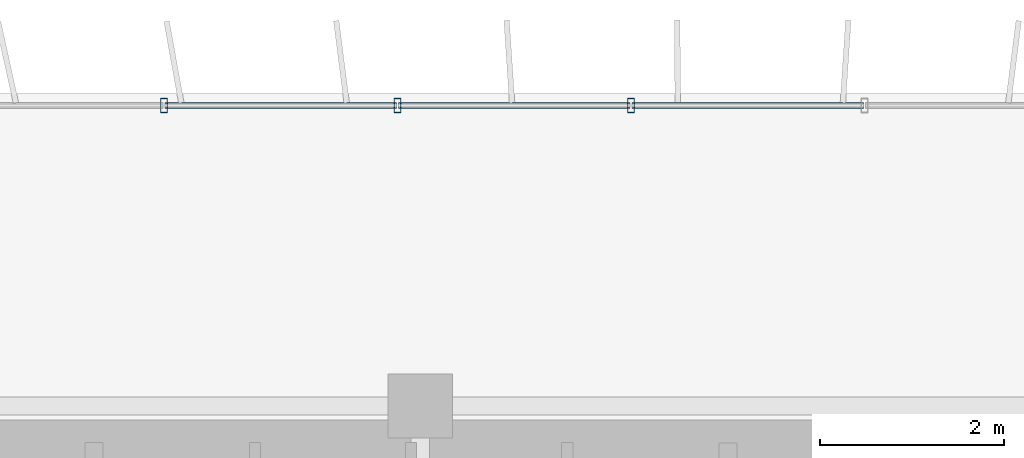
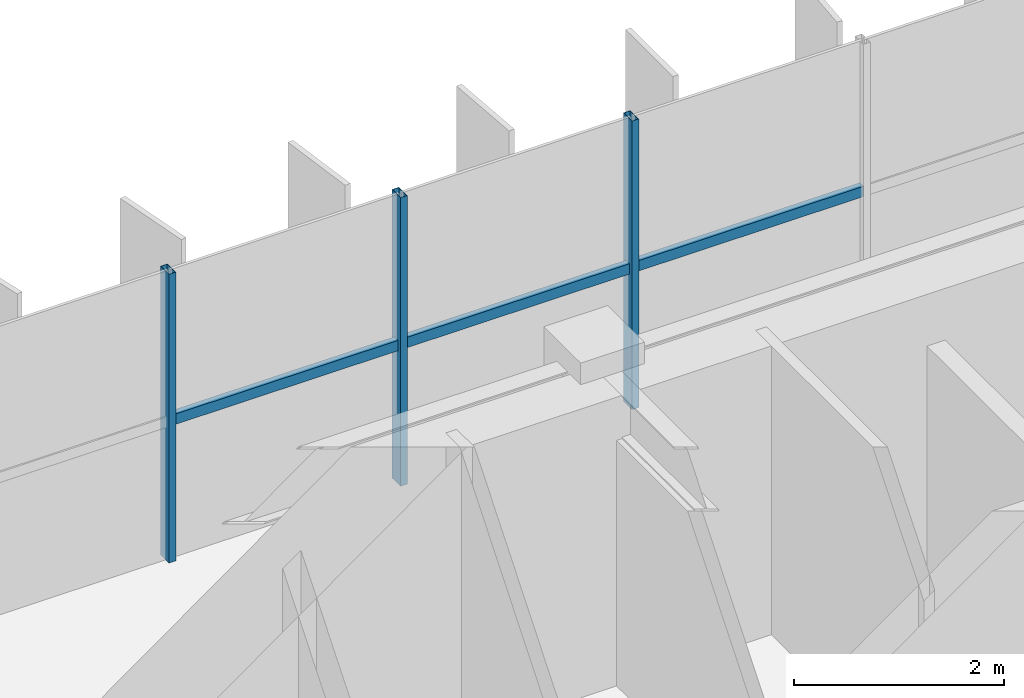
# One storey, part 9 of 21: 6 members, 1 element without a shape of its own.
"""IFC4 building model written with IfcOpenShell, lengths in metres."""

from ifc_helpers import new_model, si_unit, direction, frame, origin, origin_2d, place, context, subcontext, project, spatial, hollow_rectangle, extrude, source, transform, mapped, material, material_profile, profile_set, type_object, element, aggregate, save


model = new_model("IFC4")

# Units and contexts
model_context = context("Model", 3, precision=1e-05, world=origin(), true_north=direction((0.0, 1.0)))
body_context = subcontext(model_context, "Body", "Model", "MODEL_VIEW")
ifc_project = project(units=[si_unit("LENGTHUNIT", "METRE"), si_unit("AREAUNIT", "SQUARE_METRE"), si_unit("VOLUMEUNIT", "CUBIC_METRE"), si_unit("PLANEANGLEUNIT", "RADIAN"), si_unit("MASSUNIT", "GRAM", prefix="KILO")], contexts=[model_context])

# Site, building, storey
site_placement = place(None, origin())
site = spatial("IfcSite", under=ifc_project, at=site_placement, CompositionType="ELEMENT")
building_placement = place(site_placement, origin())
building = spatial("IfcBuilding", under=site, at=building_placement, Name="Trelvane Seafront Commons", CompositionType="ELEMENT")
storey_placement = place(building_placement, frame((0.0, 0.0, 157.300048828125)))
storey = spatial("IfcBuildingStorey", under=building, at=storey_placement, Name="L41", CompositionType="ELEMENT", Elevation=157.300048828125)

# Curtain wall, members
ifc_material = material(Name="Anodised pale-silver aluminium", Category="aluminium")
curtain_wall_type = type_object("IfcCurtainWallType", Name="ARCH-CW5-UPTOWER", PredefinedType="NOTDEFINED", material=ifc_material)
curtain_wall_placement = place(storey_placement, origin())
curtain_wall = element("IfcCurtainWall", 1, at=curtain_wall_placement, inside=storey, type_object=curtain_wall_type, Name="CW-L41-0068", PredefinedType="NOTDEFINED")
ifc_material_profile_1 = material_profile(ifc_material, hollow_rectangle(XDim=0.070068359375, YDim=0.1201171875, WallThickness=0.00390625, at=origin_2d()), Name="TRAN-70x120x4")
ifc_profile_set_1 = profile_set([ifc_material_profile_1], Name="Anodised pale-silver aluminium")
member_type_1 = type_object("IfcMemberType", Name="ARCH-CW-TRAN-120", PredefinedType="USERDEFINED", material=ifc_profile_set_1)
shared_shape_1 = source(origin(), body_context, "Body", "SweptSolid", [
    extrude(hollow_rectangle(XDim=0.070068359375, YDim=0.1201171875, WallThickness=0.00390625, at=origin_2d()), origin(), (0.0, 0.0, 1.0), 2.51708984375),
])
member_1_placement = place(storey_placement, frame((43.56494140625, 48.3701171875, 1.60791015625), z_axis=(1.0, 0.0, 0.0), x_axis=(0.0, 1.0, 0.0)))
member_1 = element("IfcMember", 2, at=member_1_placement, type_object=member_type_1, Name="CW-L41-0068-T11", ObjectType="TRANSOM", PredefinedType="USERDEFINED", context=body_context, shape_type="MappedRepresentation", body=[
    mapped(shared_shape_1, transform((0.0, 0.0, 0.0), x_axis=(1.0, 0.0, 0.0), y_axis=(0.0, 1.0, 0.0), z_axis=(0.0, 0.0, 1.0), scale=1.0)),
])
member_2_placement = place(storey_placement, frame((46.106201171875, 48.3701171875, 1.60791015625), z_axis=(1.0, 0.0, 0.0), x_axis=(0.0, 1.0, 0.0)))
member_2 = element("IfcMember", 3, at=member_2_placement, type_object=member_type_1, Name="CW-L41-0068-T12", ObjectType="TRANSOM", PredefinedType="USERDEFINED", context=body_context, shape_type="MappedRepresentation", body=[
    mapped(shared_shape_1, transform((0.0, 0.0, 0.0), x_axis=(1.0, 0.0, 0.0), y_axis=(0.0, 1.0, 0.0), z_axis=(0.0, 0.0, 1.0), scale=1.0)),
])
shared_shape_2 = source(origin(), body_context, "Body", "SweptSolid", [
    extrude(hollow_rectangle(XDim=0.070068359375, YDim=0.1201171875, WallThickness=0.00390625, at=origin_2d()), origin(), (0.0, 0.0, 1.0), 2.517333984375),
])
member_3_placement = place(storey_placement, frame((41.023681640625, 48.3701171875, 1.60791015625), z_axis=(1.0, 0.0, 0.0), x_axis=(0.0, 1.0, 0.0)))
member_3 = element("IfcMember", 4, at=member_3_placement, type_object=member_type_1, Name="CW-L41-0068-T10", ObjectType="TRANSOM", PredefinedType="USERDEFINED", context=body_context, shape_type="MappedRepresentation", body=[
    mapped(shared_shape_2, transform((0.0, 0.0, 0.0), x_axis=(1.0, 0.0, 0.0), y_axis=(0.0, 1.0, 0.0), z_axis=(0.0, 0.0, 1.0), scale=1.0)),
])
ifc_material_profile_2 = material_profile(ifc_material, hollow_rectangle(XDim=0.074951171875, YDim=0.159912109375, WallThickness=0.00390625, at=origin_2d()), Name="MULL-75x160x4")
ifc_profile_set_2 = profile_set([ifc_material_profile_2], Name="Anodised pale-silver aluminium")
member_type_2 = type_object("IfcMemberType", Name="ARCH-CW-MULL-160", PredefinedType="MULLION", material=ifc_profile_set_2)
shared_shape_3 = source(origin(), body_context, "Body", "SweptSolid", [
    extrude(hollow_rectangle(XDim=0.074951171875, YDim=0.159912109375, WallThickness=0.00390625, at=origin_2d()), origin(), (0.0, 0.0, 1.0), 3.349853515625),
])
member_4_placement = place(storey_placement, frame((41.01171875, 48.3701171875, 0.0), z_axis=(0.0, 0.0, 1.0), x_axis=(1.0, 0.0, 0.0)))
member_4 = element("IfcMember", 5, at=member_4_placement, type_object=member_type_2, Name="CW-L41-0068-M10", PredefinedType="MULLION", context=body_context, shape_type="MappedRepresentation", body=[
    mapped(shared_shape_3, transform((0.0, 0.0, 0.0), x_axis=(1.0, 0.0, 0.0), y_axis=(0.0, 1.0, 0.0), z_axis=(0.0, 0.0, 1.0), scale=1.0)),
])
member_5_placement = place(storey_placement, frame((43.552978515625, 48.3701171875, 0.0), z_axis=(0.0, 0.0, 1.0), x_axis=(1.0, 0.0, 0.0)))
member_5 = element("IfcMember", 6, at=member_5_placement, type_object=member_type_2, Name="CW-L41-0068-M11", PredefinedType="MULLION", context=body_context, shape_type="MappedRepresentation", body=[
    mapped(shared_shape_3, transform((0.0, 0.0, 0.0), x_axis=(1.0, 0.0, 0.0), y_axis=(0.0, 1.0, 0.0), z_axis=(0.0, 0.0, 1.0), scale=1.0)),
])
member_6_placement = place(storey_placement, frame((46.093994140625, 48.3701171875, 0.0), z_axis=(0.0, 0.0, 1.0), x_axis=(1.0, 0.0, 0.0)))
member_6 = element("IfcMember", 7, at=member_6_placement, type_object=member_type_2, Name="CW-L41-0068-M12", PredefinedType="MULLION", context=body_context, shape_type="MappedRepresentation", body=[
    mapped(shared_shape_3, transform((0.0, 0.0, 0.0), x_axis=(1.0, 0.0, 0.0), y_axis=(0.0, 1.0, 0.0), z_axis=(0.0, 0.0, 1.0), scale=1.0)),
])
aggregate(curtain_wall, [member_4, member_5, member_6, member_3, member_1, member_2])

save(model, "model.ifc")
